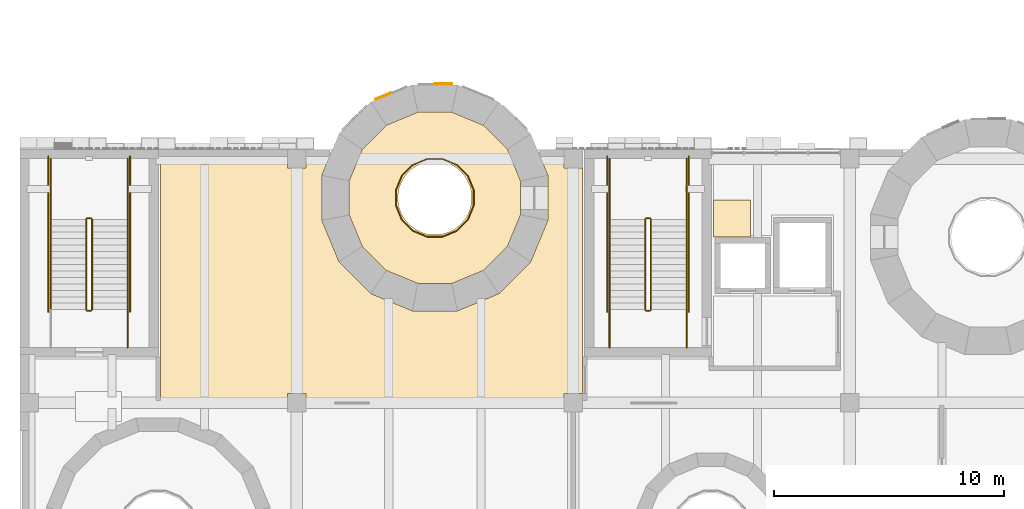
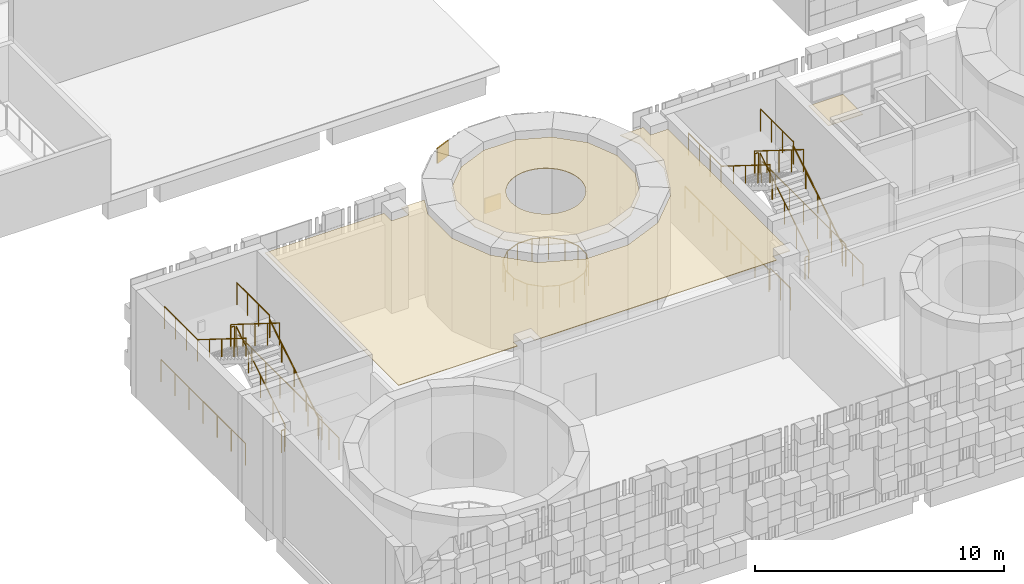
# One storey, part 90 of 125: 24 railings, 4 coverings.
"""IFC4 building model written with IfcOpenShell, lengths in metres."""

from ifc_helpers import new_model, si_unit, direction, frame, origin, origin_2d, place, context, subcontext, project, spatial, polyline, rectangle, circle, outline, extrude, material, layer, layer_set, type_object, element, save


model = new_model("IFC4")

# Units and contexts
model_context = context("Model", 3, precision=1e-05, world=origin(), true_north=direction((0.0, 1.0)))
body_context = subcontext(model_context, "Body", "Model", "MODEL_VIEW")
ifc_project = project(units=[si_unit("LENGTHUNIT", "METRE"), si_unit("AREAUNIT", "SQUARE_METRE"), si_unit("VOLUMEUNIT", "CUBIC_METRE"), si_unit("PLANEANGLEUNIT", "RADIAN"), si_unit("MASSUNIT", "GRAM", prefix="KILO")], contexts=[model_context])

# Site, building, storey
site_placement = place(None, origin())
site = spatial("IfcSite", under=ifc_project, at=site_placement, CompositionType="ELEMENT")
building_placement = place(site_placement, origin())
building = spatial("IfcBuilding", under=site, at=building_placement, Name="Sun Court Science Centre", CompositionType="ELEMENT")
storey_placement = place(building_placement, frame((0.0, 0.0, 6.0)))
storey = spatial("IfcBuildingStorey", under=building, at=storey_placement, Name="L01", CompositionType="ELEMENT", Elevation=6.0)

# Coverings
ifc_material_1 = material(Name="Gypsum board")
ifc_layer_1 = layer(ifc_material_1, 0.030029296875)
ifc_layer_set_1 = layer_set([ifc_layer_1], Name="Gypsum board")
covering_type_1 = type_object("IfcCoveringType", Name="Ceiling suspended 600 module", PredefinedType="CEILING", material=ifc_layer_set_1)
covering_1_placement = place(storey_placement, frame((0.0, 0.0, 4.52001953125)))
element("IfcCovering", 1, at=covering_1_placement, inside=storey, type_object=covering_type_1, Name="L01-002 ceiling", PredefinedType="CEILING", context=body_context, shape_type="SweptSolid", body=[
    extrude(outline(polyline([(21.14990234375, 23.79541015625), (20.1044921875, 22.750244140625), (18.739013671875, 22.1845703125), (17.260986328125, 22.1845703125), (15.8955078125, 22.750244140625), (14.85009765625, 23.79541015625), (14.284423828125, 25.160888671875), (14.284423828125, 26.638916015625), (14.85009765625, 28.004638671875), (15.8955078125, 29.0498046875), (17.260986328125, 29.615478515625), (18.739013671875, 29.615478515625), (20.1044921875, 29.0498046875), (21.14990234375, 28.004638671875), (21.715576171875, 26.638916015625), (21.715576171875, 25.160888671875), (21.14990234375, 23.79541015625)]), holes=[polyline([(19.478271484375, 26.51220703125), (19.385498046875, 26.699951171875), (19.269287109375, 26.8740234375), (19.13134765625, 27.031494140625), (18.97412109375, 27.16943359375), (18.800048828125, 27.28564453125), (18.6123046875, 27.378173828125), (18.4140625, 27.445556640625), (18.208740234375, 27.486328125), (18.0, 27.5), (17.791259765625, 27.486328125), (17.5859375, 27.445556640625), (17.3876953125, 27.378173828125), (17.199951171875, 27.28564453125), (17.02587890625, 27.16943359375), (16.86865234375, 27.031494140625), (16.730712890625, 26.8740234375), (16.614501953125, 26.699951171875), (16.521728515625, 26.51220703125), (16.45458984375, 26.314208984375), (16.413818359375, 26.10888671875), (16.39990234375, 25.89990234375), (16.413818359375, 25.691162109375), (16.45458984375, 25.48583984375), (16.521728515625, 25.28759765625), (16.614501953125, 25.10009765625), (16.730712890625, 24.926025390625), (16.86865234375, 24.7685546875), (17.02587890625, 24.630615234375), (17.199951171875, 24.514404296875), (17.3876953125, 24.421875), (17.5859375, 24.3544921875), (17.791259765625, 24.313720703125), (18.0, 24.300048828125), (18.208740234375, 24.313720703125), (18.4140625, 24.3544921875), (18.6123046875, 24.421875), (18.800048828125, 24.514404296875), (18.97412109375, 24.630615234375), (19.13134765625, 24.7685546875), (19.269287109375, 24.926025390625), (19.385498046875, 25.10009765625), (19.478271484375, 25.28759765625), (19.54541015625, 25.48583984375), (19.586181640625, 25.691162109375), (19.60009765625, 25.89990234375), (19.586181640625, 26.10888671875), (19.54541015625, 26.314208984375), (19.478271484375, 26.51220703125)])]), origin(), (0.0, 0.0, 1.0), 0.030029296875),
])
covering_2_placement = place(storey_placement, frame((0.0, 0.0, 4.52001953125)))
element("IfcCovering", 2, at=covering_2_placement, inside=storey, type_object=covering_type_1, Name="L01-013 ceiling", PredefinedType="CEILING", context=body_context, shape_type="SweptSolid", body=[
    extrude(outline(polyline([(13.47900390625, 27.800048828125), (13.09619140625, 26.87548828125), (13.09619140625, 24.924560546875), (13.8427734375, 23.1220703125), (15.22216796875, 21.74267578125), (17.0244140625, 20.99609375), (18.9755859375, 20.99609375), (20.77783203125, 21.74267578125), (22.1572265625, 23.1220703125), (22.90380859375, 24.924560546875), (22.90380859375, 26.87548828125), (22.52099609375, 27.800048828125), (23.60009765625, 27.800048828125), (23.60009765625, 27.199951171875), (24.39990234375, 27.199951171875), (24.39990234375, 17.39990234375), (23.60009765625, 17.39990234375), (23.60009765625, 17.10009765625), (12.39990234375, 17.10009765625), (12.39990234375, 17.39990234375), (11.60009765625, 17.39990234375), (11.60009765625, 17.10009765625), (6.10009765625, 17.10009765625), (6.10009765625, 27.800048828125), (11.60009765625, 27.800048828125), (11.60009765625, 27.199951171875), (12.39990234375, 27.199951171875), (12.39990234375, 27.800048828125), (13.47900390625, 27.800048828125)])), origin(), (0.0, 0.0, 1.0), 0.030029296875),
])
covering_3_placement = place(storey_placement, frame((0.0, 0.0, 4.52001953125)))
element("IfcCovering", 3, at=covering_3_placement, inside=storey, type_object=covering_type_1, Name="L01-029 ceiling", PredefinedType="CEILING", context=body_context, shape_type="SweptSolid", body=[
    extrude(outline(polyline([(31.699951171875, 25.800048828125), (31.699951171875, 24.199951171875), (30.10009765625, 24.199951171875), (30.10009765625, 25.800048828125), (31.699951171875, 25.800048828125)])), origin(), (0.0, 0.0, 1.0), 0.030029296875),
])

# Railings
ifc_material_2 = material(Name="Steel S275", Category="steel")
railing_type_1 = type_object("IfcRailingType", Name="Guard 1100 steel balustrade", PredefinedType="GUARDRAIL", material=ifc_material_2)
railing_1_placement = place(storey_placement, frame((3.125, 21.048095703125, 0.175048828125)))
element("IfcRailing", 4, at=railing_1_placement, inside=storey, type_object=railing_type_1, Name="L01 SB1 stair guard 1", PredefinedType="GUARDRAIL", context=body_context, shape_type="SweptSolid", body=[
    extrude(circle(Radius=0.02392578125, at=origin_2d()), frame((0.0, 0.0, 1.076171875), z_axis=(0.0, 0.847998304005, 0.529998940003), x_axis=(-1.0, 0.0, 0.0)), (0.0, 0.0, 1.0), 4.62255859375),
    extrude(circle(Radius=0.02099609375, at=origin_2d()), origin(), (0.0, 0.0, 1.0), 1.052001953125),
    extrude(circle(Radius=0.02099609375, at=origin_2d()), frame((0.0, 0.97998046875, 0.612548828125)), (0.0, 0.0, 1.0), 1.052001953125),
    extrude(circle(Radius=0.02099609375, at=origin_2d()), frame((0.0, 1.9599609375, 1.22509765625)), (0.0, 0.0, 1.0), 1.052001953125),
    extrude(circle(Radius=0.02099609375, at=origin_2d()), frame((0.0, 2.93994140625, 1.83740234375)), (0.0, 0.0, 1.0), 1.052001953125),
    extrude(circle(Radius=0.02099609375, at=origin_2d()), frame((0.0, 3.919921875, 2.449951171875)), (0.0, 0.0, 1.0), 1.052001953125),
])
railing_2_placement = place(storey_placement, frame((3.074951171875, 25.01806640625, 2.625)))
element("IfcRailing", 5, at=railing_2_placement, inside=storey, type_object=railing_type_1, Name="L01 SB1 stair guard 2", PredefinedType="GUARDRAIL", context=body_context, shape_type="SweptSolid", body=[
    extrude(circle(Radius=0.02392578125, at=origin_2d()), frame((0.0, 0.0, 1.076171875), z_axis=(-1.0, 0.0, 0.0), x_axis=(0.0, -1.0, 0.0)), (0.0, 0.0, 1.0), 0.14990234375),
    extrude(circle(Radius=0.02099609375, at=origin_2d()), origin(), (0.0, 0.0, 1.0), 1.052001953125),
    extrude(circle(Radius=0.02099609375, at=origin_2d()), frame((-0.14990234375, 0.0, 0.0)), (0.0, 0.0, 1.0), 1.052001953125),
])
for number, where, name in (
    (6, (4.673095703125, 24.968017578125, 2.625), "L01 SB1 stair guard 3"),
    (7, (1.326904296875, 24.968017578125, 2.625), "L01 SB1 stair guard 4"),
):
    element("IfcRailing", number, at=place(storey_placement, frame(where)), inside=storey, type_object=railing_type_1, Name=name, PredefinedType="GUARDRAIL", context=body_context, shape_type="SweptSolid", body=[
        extrude(circle(Radius=0.02392578125, at=origin_2d()), frame((0.0, 0.0, 1.076171875), z_axis=(0.0, 1.0, 0.0), x_axis=(-1.0, 0.0, 0.0)), (0.0, 0.0, 1.0), 2.632080078125),
        extrude(circle(Radius=0.02099609375, at=origin_2d()), origin(), (0.0, 0.0, 1.0), 1.052001953125),
        extrude(circle(Radius=0.02099609375, at=origin_2d()), frame((0.0, 0.87744140625, 0.0)), (0.0, 0.0, 1.0), 1.052001953125),
        extrude(circle(Radius=0.02099609375, at=origin_2d()), frame((0.0, 1.754638671875, 0.0)), (0.0, 0.0, 1.0), 1.052001953125),
        extrude(circle(Radius=0.02099609375, at=origin_2d()), frame((0.0, 2.632080078125, 0.0)), (0.0, 0.0, 1.0), 1.052001953125),
    ])
railing_3_placement = place(storey_placement, frame((2.875, 24.968017578125, 2.800048828125)))
element("IfcRailing", 8, at=railing_3_placement, inside=storey, type_object=railing_type_1, Name="L01 SB1 stair guard 5", PredefinedType="GUARDRAIL", context=body_context, shape_type="SweptSolid", body=[
    extrude(circle(Radius=0.02392578125, at=origin_2d()), frame((0.0, 0.0, 1.076171875), z_axis=(0.0, -0.847998304005, 0.529998940003), x_axis=(1.0, 0.0, 0.0)), (0.0, 0.0, 1.0), 4.62255859375),
    extrude(circle(Radius=0.02099609375, at=origin_2d()), origin(), (0.0, 0.0, 1.0), 1.052001953125),
    extrude(circle(Radius=0.02099609375, at=origin_2d()), frame((0.0, -0.97998046875, 0.612548828125)), (0.0, 0.0, 1.0), 1.052001953125),
    extrude(circle(Radius=0.02099609375, at=origin_2d()), frame((0.0, -1.9599609375, 1.22509765625)), (0.0, 0.0, 1.0), 1.052001953125),
    extrude(circle(Radius=0.02099609375, at=origin_2d()), frame((0.0, -2.93994140625, 1.83740234375)), (0.0, 0.0, 1.0), 1.052001953125),
    extrude(circle(Radius=0.02099609375, at=origin_2d()), frame((0.0, -3.919921875, 2.449951171875)), (0.0, 0.0, 1.0), 1.052001953125),
])
railing_4_placement = place(storey_placement, frame((3.074951171875, 20.998046875, 0.0)))
element("IfcRailing", 9, at=railing_4_placement, inside=storey, type_object=railing_type_1, Name="L01 SB1 stair guard 6", PredefinedType="GUARDRAIL", context=body_context, shape_type="SweptSolid", body=[
    extrude(circle(Radius=0.02392578125, at=origin_2d()), frame((0.0, 0.0, 1.076171875), z_axis=(-1.0, 0.0, 0.0), x_axis=(0.0, -1.0, 0.0)), (0.0, 0.0, 1.0), 0.14990234375),
    extrude(circle(Radius=0.02099609375, at=origin_2d()), origin(), (0.0, 0.0, 1.0), 1.052001953125),
    extrude(circle(Radius=0.02099609375, at=origin_2d()), frame((-0.14990234375, 0.0, 0.0)), (0.0, 0.0, 1.0), 1.052001953125),
])
railing_5_placement = place(storey_placement, frame((4.673095703125, 19.39990234375, 0.0)))
element("IfcRailing", 10, at=railing_5_placement, inside=storey, type_object=railing_type_1, Name="L01 SB1 stair guard 7", PredefinedType="GUARDRAIL", context=body_context, shape_type="SweptSolid", body=[
    extrude(circle(Radius=0.02392578125, at=origin_2d()), frame((0.0, 0.0, 1.076171875), z_axis=(0.0, 1.0, 0.0), x_axis=(-1.0, 0.0, 0.0)), (0.0, 0.0, 1.0), 1.648193359375),
    extrude(circle(Radius=0.02099609375, at=origin_2d()), origin(), (0.0, 0.0, 1.0), 1.052001953125),
    extrude(circle(Radius=0.02099609375, at=origin_2d()), frame((0.0, 0.82421875, 0.0)), (0.0, 0.0, 1.0), 1.052001953125),
    extrude(circle(Radius=0.02099609375, at=origin_2d()), frame((0.0, 1.648193359375, 0.0)), (0.0, 0.0, 1.0), 1.052001953125),
])
for number, where, name in (
    (11, (4.77294921875, 20.947998046875, 0.0), "L01 SB1 stair guard 9"),
    (12, (1.22705078125, 20.947998046875, 0.0), "L01 SB1 stair guard 10"),
):
    element("IfcRailing", number, at=place(storey_placement, frame(where)), inside=storey, type_object=railing_type_1, Name=name, PredefinedType="GUARDRAIL", context=body_context, shape_type="SweptSolid", body=[
        extrude(circle(Radius=0.02392578125, at=origin_2d()), frame((0.0, 0.0, 1.076171875), z_axis=(0.0, 1.0, 0.0), x_axis=(-1.0, 0.0, 0.0)), (0.0, 0.0, 1.0), 6.751953125),
        extrude(circle(Radius=0.02099609375, at=origin_2d()), origin(), (0.0, 0.0, 1.0), 1.052001953125),
        extrude(circle(Radius=0.02099609375, at=origin_2d()), frame((0.0, 1.125244140625, 0.0)), (0.0, 0.0, 1.0), 1.052001953125),
        extrude(circle(Radius=0.02099609375, at=origin_2d()), frame((0.0, 2.250732421875, 0.0)), (0.0, 0.0, 1.0), 1.052001953125),
        extrude(circle(Radius=0.02099609375, at=origin_2d()), frame((0.0, 3.3759765625, 0.0)), (0.0, 0.0, 1.0), 1.052001953125),
        extrude(circle(Radius=0.02099609375, at=origin_2d()), frame((0.0, 4.501220703125, 0.0)), (0.0, 0.0, 1.0), 1.052001953125),
        extrude(circle(Radius=0.02099609375, at=origin_2d()), frame((0.0, 5.626708984375, 0.0)), (0.0, 0.0, 1.0), 1.052001953125),
        extrude(circle(Radius=0.02099609375, at=origin_2d()), frame((0.0, 6.751953125, 0.0)), (0.0, 0.0, 1.0), 1.052001953125),
    ])
railing_6_placement = place(storey_placement, frame((27.375, 21.048095703125, 0.175048828125)))
element("IfcRailing", 13, at=railing_6_placement, inside=storey, type_object=railing_type_1, Name="L01 SB2 stair guard 1", PredefinedType="GUARDRAIL", context=body_context, shape_type="SweptSolid", body=[
    extrude(circle(Radius=0.02392578125, at=origin_2d()), frame((0.0, 0.0, 1.076171875), z_axis=(0.0, 0.847998304005, 0.529998940003), x_axis=(-1.0, 0.0, 0.0)), (0.0, 0.0, 1.0), 4.62255859375),
    extrude(circle(Radius=0.02099609375, at=origin_2d()), origin(), (0.0, 0.0, 1.0), 1.052001953125),
    extrude(circle(Radius=0.02099609375, at=origin_2d()), frame((0.0, 0.97998046875, 0.612548828125)), (0.0, 0.0, 1.0), 1.052001953125),
    extrude(circle(Radius=0.02099609375, at=origin_2d()), frame((0.0, 1.9599609375, 1.22509765625)), (0.0, 0.0, 1.0), 1.052001953125),
    extrude(circle(Radius=0.02099609375, at=origin_2d()), frame((0.0, 2.93994140625, 1.83740234375)), (0.0, 0.0, 1.0), 1.052001953125),
    extrude(circle(Radius=0.02099609375, at=origin_2d()), frame((0.0, 3.919921875, 2.449951171875)), (0.0, 0.0, 1.0), 1.052001953125),
])
railing_7_placement = place(storey_placement, frame((27.324951171875, 25.01806640625, 2.625)))
element("IfcRailing", 14, at=railing_7_placement, inside=storey, type_object=railing_type_1, Name="L01 SB2 stair guard 2", PredefinedType="GUARDRAIL", context=body_context, shape_type="SweptSolid", body=[
    extrude(circle(Radius=0.02392578125, at=origin_2d()), frame((0.0, 0.0, 1.076171875), z_axis=(-1.0, 0.0, 0.0), x_axis=(0.0, -1.0, 0.0)), (0.0, 0.0, 1.0), 0.14990234375),
    extrude(circle(Radius=0.02099609375, at=origin_2d()), origin(), (0.0, 0.0, 1.0), 1.052001953125),
    extrude(circle(Radius=0.02099609375, at=origin_2d()), frame((-0.14990234375, 0.0, 0.0)), (0.0, 0.0, 1.0), 1.052001953125),
])
for number, where, name in (
    (15, (28.923095703125, 24.968017578125, 2.625), "L01 SB2 stair guard 3"),
    (16, (25.576904296875, 24.968017578125, 2.625), "L01 SB2 stair guard 4"),
):
    element("IfcRailing", number, at=place(storey_placement, frame(where)), inside=storey, type_object=railing_type_1, Name=name, PredefinedType="GUARDRAIL", context=body_context, shape_type="SweptSolid", body=[
        extrude(circle(Radius=0.02392578125, at=origin_2d()), frame((0.0, 0.0, 1.076171875), z_axis=(0.0, 1.0, 0.0), x_axis=(-1.0, 0.0, 0.0)), (0.0, 0.0, 1.0), 2.632080078125),
        extrude(circle(Radius=0.02099609375, at=origin_2d()), origin(), (0.0, 0.0, 1.0), 1.052001953125),
        extrude(circle(Radius=0.02099609375, at=origin_2d()), frame((0.0, 0.87744140625, 0.0)), (0.0, 0.0, 1.0), 1.052001953125),
        extrude(circle(Radius=0.02099609375, at=origin_2d()), frame((0.0, 1.754638671875, 0.0)), (0.0, 0.0, 1.0), 1.052001953125),
        extrude(circle(Radius=0.02099609375, at=origin_2d()), frame((0.0, 2.632080078125, 0.0)), (0.0, 0.0, 1.0), 1.052001953125),
    ])
railing_8_placement = place(storey_placement, frame((27.125, 24.968017578125, 2.800048828125)))
element("IfcRailing", 17, at=railing_8_placement, inside=storey, type_object=railing_type_1, Name="L01 SB2 stair guard 5", PredefinedType="GUARDRAIL", context=body_context, shape_type="SweptSolid", body=[
    extrude(circle(Radius=0.02392578125, at=origin_2d()), frame((0.0, 0.0, 1.076171875), z_axis=(0.0, -0.847998304005, 0.529998940003), x_axis=(1.0, 0.0, 0.0)), (0.0, 0.0, 1.0), 4.62255859375),
    extrude(circle(Radius=0.02099609375, at=origin_2d()), origin(), (0.0, 0.0, 1.0), 1.052001953125),
    extrude(circle(Radius=0.02099609375, at=origin_2d()), frame((0.0, -0.97998046875, 0.612548828125)), (0.0, 0.0, 1.0), 1.052001953125),
    extrude(circle(Radius=0.02099609375, at=origin_2d()), frame((0.0, -1.9599609375, 1.22509765625)), (0.0, 0.0, 1.0), 1.052001953125),
    extrude(circle(Radius=0.02099609375, at=origin_2d()), frame((0.0, -2.93994140625, 1.83740234375)), (0.0, 0.0, 1.0), 1.052001953125),
    extrude(circle(Radius=0.02099609375, at=origin_2d()), frame((0.0, -3.919921875, 2.449951171875)), (0.0, 0.0, 1.0), 1.052001953125),
])
railing_9_placement = place(storey_placement, frame((27.324951171875, 20.998046875, 0.0)))
element("IfcRailing", 18, at=railing_9_placement, inside=storey, type_object=railing_type_1, Name="L01 SB2 stair guard 6", PredefinedType="GUARDRAIL", context=body_context, shape_type="SweptSolid", body=[
    extrude(circle(Radius=0.02392578125, at=origin_2d()), frame((0.0, 0.0, 1.076171875), z_axis=(-1.0, 0.0, 0.0), x_axis=(0.0, -1.0, 0.0)), (0.0, 0.0, 1.0), 0.14990234375),
    extrude(circle(Radius=0.02099609375, at=origin_2d()), origin(), (0.0, 0.0, 1.0), 1.052001953125),
    extrude(circle(Radius=0.02099609375, at=origin_2d()), frame((-0.14990234375, 0.0, 0.0)), (0.0, 0.0, 1.0), 1.052001953125),
])
for number, where, name in (
    (19, (28.923095703125, 19.39990234375, 0.0), "L01 SB2 stair guard 7"),
    (20, (25.576904296875, 19.39990234375, 0.0), "L01 SB2 stair guard 8"),
):
    element("IfcRailing", number, at=place(storey_placement, frame(where)), inside=storey, type_object=railing_type_1, Name=name, PredefinedType="GUARDRAIL", context=body_context, shape_type="SweptSolid", body=[
        extrude(circle(Radius=0.02392578125, at=origin_2d()), frame((0.0, 0.0, 1.076171875), z_axis=(0.0, 1.0, 0.0), x_axis=(-1.0, 0.0, 0.0)), (0.0, 0.0, 1.0), 1.648193359375),
        extrude(circle(Radius=0.02099609375, at=origin_2d()), origin(), (0.0, 0.0, 1.0), 1.052001953125),
        extrude(circle(Radius=0.02099609375, at=origin_2d()), frame((0.0, 0.82421875, 0.0)), (0.0, 0.0, 1.0), 1.052001953125),
        extrude(circle(Radius=0.02099609375, at=origin_2d()), frame((0.0, 1.648193359375, 0.0)), (0.0, 0.0, 1.0), 1.052001953125),
    ])
for number, where, name in (
    (21, (29.02294921875, 20.947998046875, 0.0), "L01 SB2 stair guard 9"),
    (22, (25.47705078125, 20.947998046875, 0.0), "L01 SB2 stair guard 10"),
):
    element("IfcRailing", number, at=place(storey_placement, frame(where)), inside=storey, type_object=railing_type_1, Name=name, PredefinedType="GUARDRAIL", context=body_context, shape_type="SweptSolid", body=[
        extrude(circle(Radius=0.02392578125, at=origin_2d()), frame((0.0, 0.0, 1.076171875), z_axis=(0.0, 1.0, 0.0), x_axis=(-1.0, 0.0, 0.0)), (0.0, 0.0, 1.0), 6.751953125),
        extrude(circle(Radius=0.02099609375, at=origin_2d()), origin(), (0.0, 0.0, 1.0), 1.052001953125),
        extrude(circle(Radius=0.02099609375, at=origin_2d()), frame((0.0, 1.125244140625, 0.0)), (0.0, 0.0, 1.0), 1.052001953125),
        extrude(circle(Radius=0.02099609375, at=origin_2d()), frame((0.0, 2.250732421875, 0.0)), (0.0, 0.0, 1.0), 1.052001953125),
        extrude(circle(Radius=0.02099609375, at=origin_2d()), frame((0.0, 3.3759765625, 0.0)), (0.0, 0.0, 1.0), 1.052001953125),
        extrude(circle(Radius=0.02099609375, at=origin_2d()), frame((0.0, 4.501220703125, 0.0)), (0.0, 0.0, 1.0), 1.052001953125),
        extrude(circle(Radius=0.02099609375, at=origin_2d()), frame((0.0, 5.626708984375, 0.0)), (0.0, 0.0, 1.0), 1.052001953125),
        extrude(circle(Radius=0.02099609375, at=origin_2d()), frame((0.0, 6.751953125, 0.0)), (0.0, 0.0, 1.0), 1.052001953125),
    ])
ifc_material_3 = material(Name="Steel S275", Category="steel")
railing_type_2 = type_object("IfcRailingType", Name="Guard 1100 well balustrade", PredefinedType="GUARDRAIL", material=ifc_material_3)
railing_10_placement = place(storey_placement, frame((19.68701171875, 26.235595703125, 0.0)))
element("IfcRailing", 23, at=railing_10_placement, inside=storey, type_object=railing_type_2, Name="C2 well guard L01", PredefinedType="GUARDRAIL", context=body_context, shape_type="SweptSolid", body=[
    extrude(circle(Radius=0.02392578125, at=origin_2d()), frame((0.0, 0.0, 1.076171875), z_axis=(-0.382780256271, 0.923839420792, 0.0), x_axis=(-0.923839420792, -0.382780256271, 0.0)), (0.0, 0.0, 1.0), 0.6708984375),
    extrude(circle(Radius=0.02392578125, at=origin_2d()), frame((-0.2568359375, 0.619873046875, 1.076171875), z_axis=(-0.707106781187, 0.707106781187, 0.0), x_axis=(-0.707106781187, -0.707106781187, 0.0)), (0.0, 0.0, 1.0), 0.671142578125),
    extrude(circle(Radius=0.02392578125, at=origin_2d()), frame((-0.7314453125, 1.094482421875, 1.076171875), z_axis=(-0.923892706888, 0.382651625058, 0.0), x_axis=(-0.382651625058, -0.923892706888, 0.0)), (0.0, 0.0, 1.0), 0.671142578125),
    extrude(circle(Radius=0.02392578125, at=origin_2d()), frame((-1.3515625, 1.351318359375, 1.076171875), z_axis=(-1.0, 0.0, 0.0), x_axis=(0.0, -1.0, 0.0)), (0.0, 0.0, 1.0), 0.6708984375),
    extrude(circle(Radius=0.02392578125, at=origin_2d()), frame((-2.0224609375, 1.351318359375, 1.076171875), z_axis=(-0.923892706888, -0.382651625058, 0.0), x_axis=(0.382651625058, -0.923892706888, 0.0)), (0.0, 0.0, 1.0), 0.671142578125),
    extrude(circle(Radius=0.02392578125, at=origin_2d()), frame((-2.642578125, 1.094482421875, 1.076171875), z_axis=(-0.707106781187, -0.707106781187, 0.0), x_axis=(0.707106781187, -0.707106781187, 0.0)), (0.0, 0.0, 1.0), 0.671142578125),
    extrude(circle(Radius=0.02392578125, at=origin_2d()), frame((-3.1171875, 0.619873046875, 1.076171875), z_axis=(-0.382780256271, -0.923839420792, 0.0), x_axis=(0.923839420792, -0.382780256271, 0.0)), (0.0, 0.0, 1.0), 0.6708984375),
    extrude(circle(Radius=0.02392578125, at=origin_2d()), frame((-3.3740234375, 0.0, 1.076171875), z_axis=(0.0, -1.0, 0.0), x_axis=(1.0, 0.0, 0.0)), (0.0, 0.0, 1.0), 0.671142578125),
    extrude(circle(Radius=0.02392578125, at=origin_2d()), frame((-3.3740234375, -0.671142578125, 1.076171875), z_axis=(0.382651625058, -0.923892706888, 0.0), x_axis=(0.923892706888, 0.382651625058, 0.0)), (0.0, 0.0, 1.0), 0.671142578125),
    extrude(circle(Radius=0.02392578125, at=origin_2d()), frame((-3.1171875, -1.291259765625, 1.076171875), z_axis=(0.707288673597, -0.706924841975, 0.0), x_axis=(0.706924841975, 0.707288673597, 0.0)), (0.0, 0.0, 1.0), 0.671142578125),
    extrude(circle(Radius=0.02392578125, at=origin_2d()), frame((-2.642578125, -1.765625, 1.076171875), z_axis=(0.923892706888, -0.382651625058, 0.0), x_axis=(0.382651625058, 0.923892706888, 0.0)), (0.0, 0.0, 1.0), 0.671142578125),
    extrude(circle(Radius=0.02392578125, at=origin_2d()), frame((-2.0224609375, -2.0224609375, 1.076171875), z_axis=(1.0, 0.0, 0.0), x_axis=(0.0, 1.0, 0.0)), (0.0, 0.0, 1.0), 0.6708984375),
    extrude(circle(Radius=0.02392578125, at=origin_2d()), frame((-1.3515625, -2.0224609375, 1.076171875), z_axis=(0.923892706888, 0.382651625058, 0.0), x_axis=(-0.382651625058, 0.923892706888, 0.0)), (0.0, 0.0, 1.0), 0.671142578125),
    extrude(circle(Radius=0.02392578125, at=origin_2d()), frame((-0.7314453125, -1.765625, 1.076171875), z_axis=(0.707288673597, 0.706924841975, 0.0), x_axis=(-0.706924841975, 0.707288673597, 0.0)), (0.0, 0.0, 1.0), 0.671142578125),
    extrude(circle(Radius=0.02392578125, at=origin_2d()), frame((-0.2568359375, -1.291259765625, 1.076171875), z_axis=(0.382651625058, 0.923892706888, 0.0), x_axis=(-0.923892706888, 0.382651625058, 0.0)), (0.0, 0.0, 1.0), 0.671142578125),
    extrude(circle(Radius=0.02392578125, at=origin_2d()), frame((0.0, -0.671142578125, 1.076171875), z_axis=(0.0, 1.0, 0.0), x_axis=(-1.0, 0.0, 0.0)), (0.0, 0.0, 1.0), 0.671142578125),
    extrude(circle(Radius=0.02099609375, at=origin_2d()), origin(), (0.0, 0.0, 1.0), 1.052001953125),
    extrude(circle(Radius=0.02099609375, at=origin_2d()), frame((-0.2568359375, 0.619873046875, 0.0)), (0.0, 0.0, 1.0), 1.052001953125),
    extrude(circle(Radius=0.02099609375, at=origin_2d()), frame((-0.7314453125, 1.094482421875, 0.0)), (0.0, 0.0, 1.0), 1.052001953125),
    extrude(circle(Radius=0.02099609375, at=origin_2d()), frame((-1.3515625, 1.351318359375, 0.0)), (0.0, 0.0, 1.0), 1.052001953125),
    extrude(circle(Radius=0.02099609375, at=origin_2d()), frame((-2.0224609375, 1.351318359375, 0.0)), (0.0, 0.0, 1.0), 1.052001953125),
    extrude(circle(Radius=0.02099609375, at=origin_2d()), frame((-2.642578125, 1.094482421875, 0.0)), (0.0, 0.0, 1.0), 1.052001953125),
    extrude(circle(Radius=0.02099609375, at=origin_2d()), frame((-3.1171875, 0.619873046875, 0.0)), (0.0, 0.0, 1.0), 1.052001953125),
    extrude(circle(Radius=0.02099609375, at=origin_2d()), frame((-3.3740234375, 0.0, 0.0)), (0.0, 0.0, 1.0), 1.052001953125),
    extrude(circle(Radius=0.02099609375, at=origin_2d()), frame((-3.3740234375, -0.671142578125, 0.0)), (0.0, 0.0, 1.0), 1.052001953125),
    extrude(circle(Radius=0.02099609375, at=origin_2d()), frame((-3.1171875, -1.291259765625, 0.0)), (0.0, 0.0, 1.0), 1.052001953125),
    extrude(circle(Radius=0.02099609375, at=origin_2d()), frame((-2.642578125, -1.765625, 0.0)), (0.0, 0.0, 1.0), 1.052001953125),
    extrude(circle(Radius=0.02099609375, at=origin_2d()), frame((-2.0224609375, -2.0224609375, 0.0)), (0.0, 0.0, 1.0), 1.052001953125),
    extrude(circle(Radius=0.02099609375, at=origin_2d()), frame((-1.3515625, -2.0224609375, 0.0)), (0.0, 0.0, 1.0), 1.052001953125),
    extrude(circle(Radius=0.02099609375, at=origin_2d()), frame((-0.7314453125, -1.765625, 0.0)), (0.0, 0.0, 1.0), 1.052001953125),
    extrude(circle(Radius=0.02099609375, at=origin_2d()), frame((-0.2568359375, -1.291259765625, 0.0)), (0.0, 0.0, 1.0), 1.052001953125),
    extrude(circle(Radius=0.02099609375, at=origin_2d()), frame((0.0, -0.671142578125, 0.0)), (0.0, 0.0, 1.0), 1.052001953125),
])
ifc_material_4 = material(Name="Stainless steel", Category="steel")
railing_type_3 = type_object("IfcRailingType", Name="Handrail 900 stainless", PredefinedType="HANDRAIL", material=ifc_material_4)
railing_11_placement = place(storey_placement, frame((4.673095703125, 21.048095703125, 0.175048828125)))
element("IfcRailing", 24, at=railing_11_placement, inside=storey, type_object=railing_type_3, Name="L01 SB1 stair handrail 1", PredefinedType="HANDRAIL", context=body_context, shape_type="SweptSolid", body=[
    extrude(circle(Radius=0.02392578125, at=origin_2d()), frame((0.0, 0.0, 0.8759765625), z_axis=(0.0, 0.847998304005, 0.529998940003), x_axis=(-1.0, 0.0, 0.0)), (0.0, 0.0, 1.0), 4.62255859375),
    extrude(circle(Radius=0.02099609375, at=origin_2d()), origin(), (0.0, 0.0, 1.0), 0.851806640625),
    extrude(circle(Radius=0.02099609375, at=origin_2d()), frame((0.0, 0.97998046875, 0.612548828125)), (0.0, 0.0, 1.0), 0.851806640625),
    extrude(circle(Radius=0.02099609375, at=origin_2d()), frame((0.0, 1.9599609375, 1.22509765625)), (0.0, 0.0, 1.0), 0.851806640625),
    extrude(circle(Radius=0.02099609375, at=origin_2d()), frame((0.0, 2.93994140625, 1.83740234375)), (0.0, 0.0, 1.0), 0.851806640625),
    extrude(circle(Radius=0.02099609375, at=origin_2d()), frame((0.0, 3.919921875, 2.449951171875)), (0.0, 0.0, 1.0), 0.851806640625),
])
railing_12_placement = place(storey_placement, frame((1.326904296875, 24.968017578125, 2.800048828125)))
element("IfcRailing", 25, at=railing_12_placement, inside=storey, type_object=railing_type_3, Name="L01 SB1 stair handrail 2", PredefinedType="HANDRAIL", context=body_context, shape_type="SweptSolid", body=[
    extrude(circle(Radius=0.02392578125, at=origin_2d()), frame((0.0, 0.0, 0.8759765625), z_axis=(0.0, -0.847998304005, 0.529998940003), x_axis=(1.0, 0.0, 0.0)), (0.0, 0.0, 1.0), 4.62255859375),
    extrude(circle(Radius=0.02099609375, at=origin_2d()), origin(), (0.0, 0.0, 1.0), 0.851806640625),
    extrude(circle(Radius=0.02099609375, at=origin_2d()), frame((0.0, -0.97998046875, 0.612548828125)), (0.0, 0.0, 1.0), 0.851806640625),
    extrude(circle(Radius=0.02099609375, at=origin_2d()), frame((0.0, -1.9599609375, 1.22509765625)), (0.0, 0.0, 1.0), 0.851806640625),
    extrude(circle(Radius=0.02099609375, at=origin_2d()), frame((0.0, -2.93994140625, 1.83740234375)), (0.0, 0.0, 1.0), 0.851806640625),
    extrude(circle(Radius=0.02099609375, at=origin_2d()), frame((0.0, -3.919921875, 2.449951171875)), (0.0, 0.0, 1.0), 0.851806640625),
])
railing_13_placement = place(storey_placement, frame((28.923095703125, 21.048095703125, 0.175048828125)))
element("IfcRailing", 26, at=railing_13_placement, inside=storey, type_object=railing_type_3, Name="L01 SB2 stair handrail 1", PredefinedType="HANDRAIL", context=body_context, shape_type="SweptSolid", body=[
    extrude(circle(Radius=0.02392578125, at=origin_2d()), frame((0.0, 0.0, 0.8759765625), z_axis=(0.0, 0.847998304005, 0.529998940003), x_axis=(-1.0, 0.0, 0.0)), (0.0, 0.0, 1.0), 4.62255859375),
    extrude(circle(Radius=0.02099609375, at=origin_2d()), origin(), (0.0, 0.0, 1.0), 0.851806640625),
    extrude(circle(Radius=0.02099609375, at=origin_2d()), frame((0.0, 0.97998046875, 0.612548828125)), (0.0, 0.0, 1.0), 0.851806640625),
    extrude(circle(Radius=0.02099609375, at=origin_2d()), frame((0.0, 1.9599609375, 1.22509765625)), (0.0, 0.0, 1.0), 0.851806640625),
    extrude(circle(Radius=0.02099609375, at=origin_2d()), frame((0.0, 2.93994140625, 1.83740234375)), (0.0, 0.0, 1.0), 0.851806640625),
    extrude(circle(Radius=0.02099609375, at=origin_2d()), frame((0.0, 3.919921875, 2.449951171875)), (0.0, 0.0, 1.0), 0.851806640625),
])
railing_14_placement = place(storey_placement, frame((25.576904296875, 24.968017578125, 2.800048828125)))
element("IfcRailing", 27, at=railing_14_placement, inside=storey, type_object=railing_type_3, Name="L01 SB2 stair handrail 2", PredefinedType="HANDRAIL", context=body_context, shape_type="SweptSolid", body=[
    extrude(circle(Radius=0.02392578125, at=origin_2d()), frame((0.0, 0.0, 0.8759765625), z_axis=(0.0, -0.847998304005, 0.529998940003), x_axis=(1.0, 0.0, 0.0)), (0.0, 0.0, 1.0), 4.62255859375),
    extrude(circle(Radius=0.02099609375, at=origin_2d()), origin(), (0.0, 0.0, 1.0), 0.851806640625),
    extrude(circle(Radius=0.02099609375, at=origin_2d()), frame((0.0, -0.97998046875, 0.612548828125)), (0.0, 0.0, 1.0), 0.851806640625),
    extrude(circle(Radius=0.02099609375, at=origin_2d()), frame((0.0, -1.9599609375, 1.22509765625)), (0.0, 0.0, 1.0), 0.851806640625),
    extrude(circle(Radius=0.02099609375, at=origin_2d()), frame((0.0, -2.93994140625, 1.83740234375)), (0.0, 0.0, 1.0), 0.851806640625),
    extrude(circle(Radius=0.02099609375, at=origin_2d()), frame((0.0, -3.919921875, 2.449951171875)), (0.0, 0.0, 1.0), 0.851806640625),
])

# Covering
ifc_material_5 = material(Name="Terracotta shade 5", Category="masonry")
ifc_layer_2 = layer(ifc_material_5, 0.06005859375)
ifc_layer_set_2 = layer_set([ifc_layer_2], Name="Terracotta shade 5")
covering_type_2 = type_object("IfcCoveringType", Name="Terracotta pixel panel shade 5", PredefinedType="CLADDING", material=ifc_layer_set_2)
covering_4_placement = place(storey_placement, frame((0.0, 0.0, -6.0)))
element("IfcCovering", 28, at=covering_4_placement, inside=storey, type_object=covering_type_2, Name="Terracotta pixel cladding shade 5 cone 2 L01", PredefinedType="CLADDING", context=body_context, shape_type="SweptSolid", body=[
    extrude(rectangle(XDim=0.739990234375, YDim=0.06005859375, at=origin_2d()), frame((18.375, 30.833984375, 6.455078125), z_axis=(0.0, 0.0, 1.0), x_axis=(1.0, 0.0, 0.0)), (0.0, 0.0, 1.0), 0.739990234375),
    extrude(rectangle(XDim=0.739990234375, YDim=0.06005859375, at=origin_2d()), frame((15.765380859375, 30.31494140625, 10.205078125), z_axis=(0.0, 0.0, 1.0), x_axis=(0.923879532511, 0.382683432365, 0.0)), (0.0, 0.0, 1.0), 0.739990234375),
])

save(model, "model.ifc")
